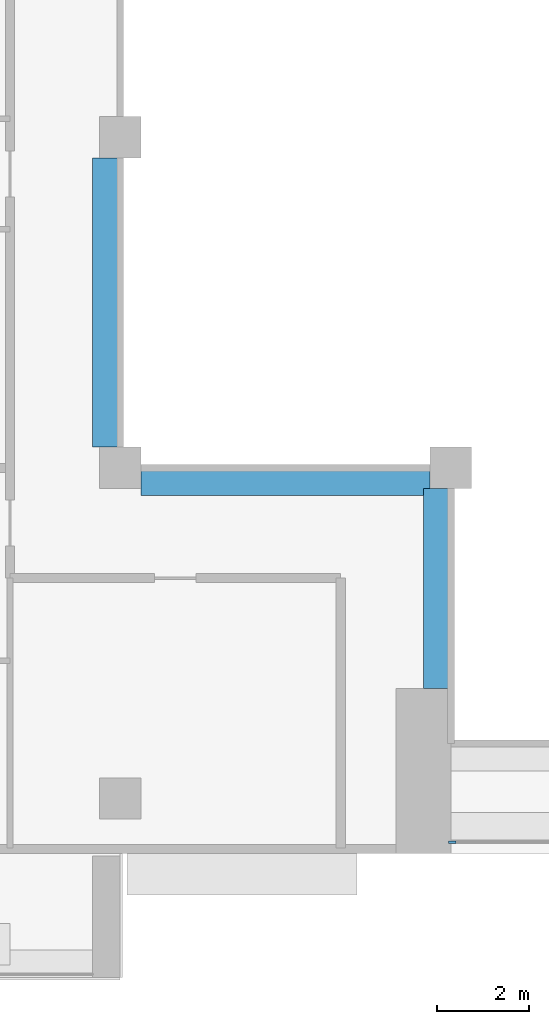
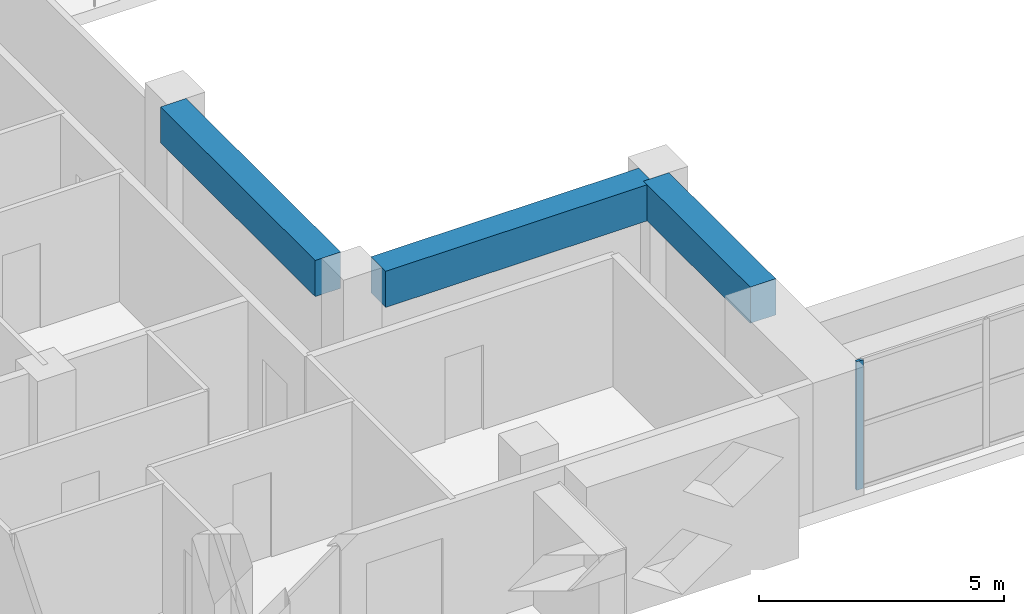
# One storey, part 2 of 20: 3 beams, 1 member, 1 element without a shape of its own.
"""IFC4 building model written with IfcOpenShell, lengths in metres."""

from ifc_helpers import new_model, si_unit, direction, frame, origin, origin_2d, place, context, subcontext, project, spatial, rectangle, extrude, source, transform, mapped, material, layer, layer_set, material_profile, profile_set, type_object, element, aggregate, save


model = new_model("IFC4")

# Units and contexts
model_context = context("Model", 3, precision=1e-05, world=origin(), true_north=direction((0.0, 1.0)))
body_context = subcontext(model_context, "Body", "Model", "MODEL_VIEW")
ifc_project = project(units=[si_unit("LENGTHUNIT", "METRE"), si_unit("AREAUNIT", "SQUARE_METRE"), si_unit("VOLUMEUNIT", "CUBIC_METRE"), si_unit("PLANEANGLEUNIT", "RADIAN"), si_unit("MASSUNIT", "GRAM", prefix="KILO")], contexts=[model_context])

# Site, building, storey
site_placement = place(None, origin())
site = spatial("IfcSite", under=ifc_project, at=site_placement, CompositionType="ELEMENT")
building_placement = place(site_placement, origin())
building = spatial("IfcBuilding", under=site, at=building_placement, Name="Saffron Iwan Residences", CompositionType="ELEMENT")
storey_placement = place(building_placement, frame((0.0, 0.0, 199.0)))
storey = spatial("IfcBuildingStorey", under=building, at=storey_placement, Name="L53", CompositionType="ELEMENT", Elevation=199.0)

# Beams
ifc_material_1 = material(Name="Concrete C50/60", Category="concrete")
ifc_material_profile_1 = material_profile(ifc_material_1, rectangle(XDim=0.60009765625, YDim=0.89990234375, at=origin_2d()), Name="RC 600x900")
ifc_profile_set_1 = profile_set([ifc_material_profile_1], Name="Concrete C50/60")
beam_type = type_object("IfcBeamType", Name="BEAM RC 600x900 C50/60 TOP 3200", PredefinedType="BEAM", material=ifc_profile_set_1)
shared_shape_1 = source(origin(), body_context, "Body", "SweptSolid", [
    extrude(rectangle(XDim=0.60009765625, YDim=0.89990234375, at=origin_2d()), origin(), (0.0, 0.0, 1.0), 4.35009765625),
])
beam_placement = place(storey_placement, frame((42.89990234375, 43.199951171875, 2.75), z_axis=(0.0, 1.0, 0.0), x_axis=(-1.0, 0.0, 0.0)))
element("IfcBeam", 1, at=beam_placement, inside=storey, type_object=beam_type, Name="Atrium edge beam", PredefinedType="BEAM", context=body_context, shape_type="MappedRepresentation", body=[
    mapped(shared_shape_1, transform((0.0, 0.0, 0.0))),
])
shared_shape_2 = source(origin(), body_context, "Body", "SweptSolid", [
    extrude(rectangle(XDim=0.60009765625, YDim=0.89990234375, at=origin_2d()), origin(), (0.0, 0.0, 1.0), 6.300048828125),
])
for number, where, z_axis, x_axis, name in (
    (2, (42.75, 47.699951171875, 2.75), (-1.0, 0.0, 0.0), (0.0, -1.0, 0.0), "Atrium edge beam"),
    (3, (35.699951171875, 48.449951171875, 2.75), (0.0, 1.0, 0.0), (-1.0, 0.0, 0.0), "Atrium edge beam"),
):
    element("IfcBeam", number, at=place(storey_placement, frame(where, z_axis=z_axis, x_axis=x_axis)), inside=storey, type_object=beam_type, Name=name, PredefinedType="BEAM", context=body_context, shape_type="MappedRepresentation", body=[
        mapped(shared_shape_2, transform((0.0, 0.0, 0.0))),
    ])

# Curtain wall, member
ifc_material_2 = material(Name="Clear glass, laminated double glazed", Category="glass")
ifc_layer = layer(ifc_material_2, 0.199951171875)
ifc_layer_set = layer_set([ifc_layer], Name="Clear glass, laminated double glazed")
curtain_wall_type = type_object("IfcCurtainWallType", Name="CW-B IWAN PORTAL", PredefinedType="NOTDEFINED", material=ifc_layer_set)
curtain_wall_placement = place(storey_placement, origin())
curtain_wall = element("IfcCurtainWall", 4, at=curtain_wall_placement, inside=storey, type_object=curtain_wall_type, Name="Iwan portal glazing L53.1", PredefinedType="NOTDEFINED")
ifc_material_3 = material(Name="Aluminium 6063-T6", Category="aluminium")
ifc_material_profile_2 = material_profile(ifc_material_3, rectangle(XDim=0.06005859375, YDim=0.159912109375, at=origin_2d()), Name="CW-B MULLION 60 x 160")
ifc_profile_set_2 = profile_set([ifc_material_profile_2], Name="Aluminium 6063-T6")
member_type = type_object("IfcMemberType", Name="CW-B MULLION 60 x 160", PredefinedType="MULLION", material=ifc_profile_set_2)
shared_shape_3 = source(origin(), body_context, "Body", "SweptSolid", [
    extrude(rectangle(XDim=0.06005859375, YDim=0.159912109375, at=origin_2d()), origin(), (0.0, 0.0, 1.0), 3.199951171875),
])
member_placement = place(storey_placement, frame((43.22998046875, 39.85009765625, 0.0), z_axis=(0.0, 0.0, 1.0), x_axis=(0.0, 1.0, 0.0)))
member = element("IfcMember", 5, at=member_placement, type_object=member_type, Name="CW-B mullion 1", PredefinedType="MULLION", context=body_context, shape_type="MappedRepresentation", body=[
    mapped(shared_shape_3, transform((0.0, 0.0, 0.0))),
])
aggregate(curtain_wall, [member])

save(model, "model.ifc")
